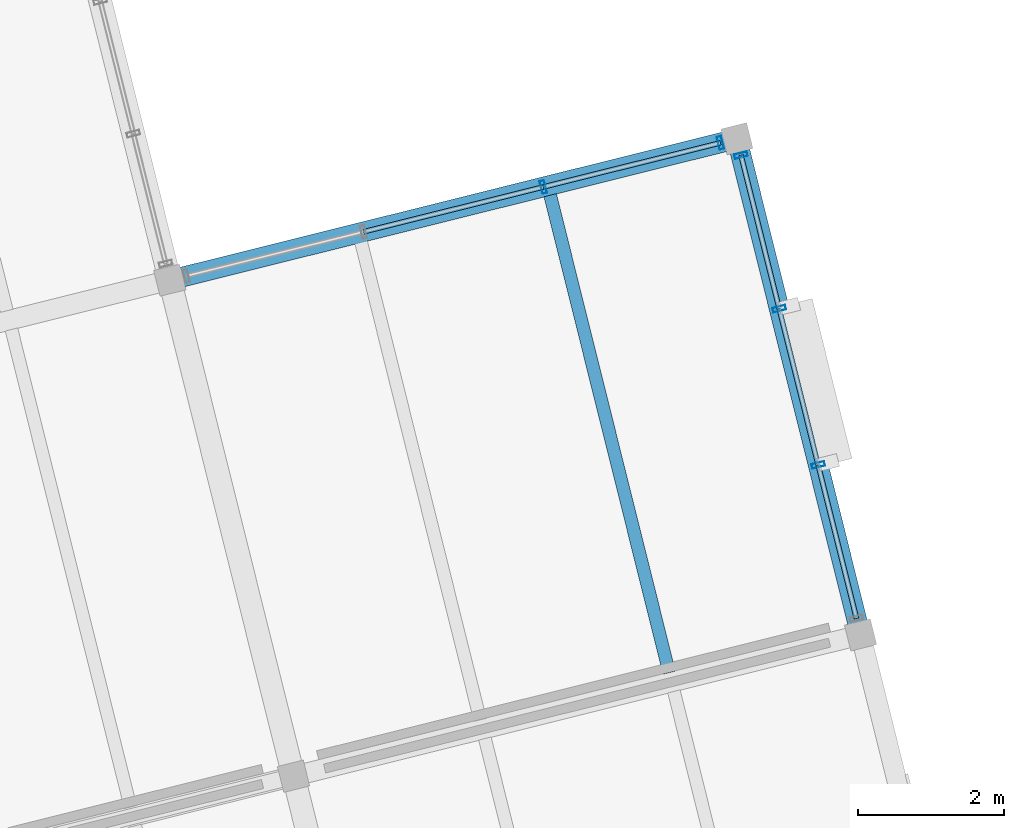
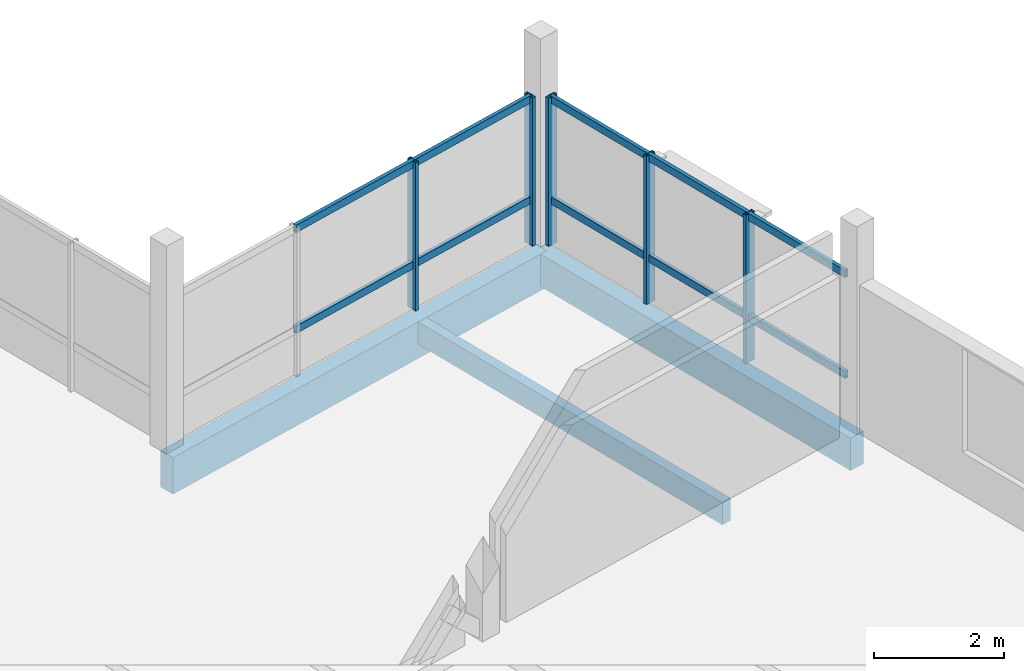
# One storey, part 21 of 28: 15 members, 3 beams, 2 elements without a shape of their own.
"""IFC4 building model written with IfcOpenShell, lengths in metres."""

from ifc_helpers import new_model, si_unit, direction, frame, origin, origin_2d, place, context, subcontext, project, spatial, rectangle, hollow_rectangle, extrude, material, layer, layer_set, material_profile, profile_set, type_object, element, aggregate, save


model = new_model("IFC4")

# Units and contexts
model_context = context("Model", 3, precision=1e-05, world=origin(), true_north=direction((0.0, 1.0)))
body_context = subcontext(model_context, "Body", "Model", "MODEL_VIEW")
ifc_project = project(units=[si_unit("LENGTHUNIT", "METRE"), si_unit("AREAUNIT", "SQUARE_METRE"), si_unit("VOLUMEUNIT", "CUBIC_METRE"), si_unit("PLANEANGLEUNIT", "RADIAN"), si_unit("MASSUNIT", "GRAM", prefix="KILO")], contexts=[model_context])

# Site, building, storey
site_placement = place(None, origin())
site = spatial("IfcSite", under=ifc_project, at=site_placement, CompositionType="ELEMENT")
building_placement = place(site_placement, origin())
building = spatial("IfcBuilding", under=site, at=building_placement, Name="Meriwether Solvik Hall", CompositionType="ELEMENT")
storey_placement = place(building_placement, frame((0.0, 0.0, 37.800048828125)))
storey = spatial("IfcBuildingStorey", under=building, at=storey_placement, Name="L09", CompositionType="ELEMENT", Elevation=37.800048828125)

# Beams
ifc_material_1 = material(Name="Glulam Douglas-Fir 24F-V8 GL28h", Category="wood")
ifc_material_profile_1 = material_profile(ifc_material_1, rectangle(XDim=0.27294921875, YDim=0.610107421875, at=origin_2d()), Name="GLB-273X610")
ifc_profile_set_1 = profile_set([ifc_material_profile_1], Name="Glulam Douglas-Fir 24F-V8 GL28h")
beam_type_1 = type_object("IfcBeamType", Name="BM-GL-273X610", PredefinedType="SPANDREL", material=ifc_profile_set_1)
beam_1_placement = place(storey_placement, frame((106.212646484375, 72.220703125, -0.485107421875), z_axis=(-0.241903692719, 0.970300264582, 0.0), x_axis=(-0.970300264582, -0.241903692719, 0.0)))
element("IfcBeam", 1, at=beam_1_placement, inside=storey, type_object=beam_type_1, Name="Tower Girder T7:TD-TE (L09)", PredefinedType="SPANDREL", context=body_context, shape_type="SweptSolid", body=[
    extrude(rectangle(XDim=0.27294921875, YDim=0.610107421875, at=origin_2d()), origin(), (0.0, 0.0, 1.0), 7.000244140625),
])
ifc_material_2 = material(Name="Glulam Douglas-Fir 24F-V8 GL28h", Category="wood")
ifc_material_profile_2 = material_profile(ifc_material_2, rectangle(XDim=0.27294921875, YDim=0.68505859375, at=origin_2d()), Name="GLB-273X685")
ifc_profile_set_2 = profile_set([ifc_material_profile_2], Name="Glulam Douglas-Fir 24F-V8 GL28h")
beam_type_2 = type_object("IfcBeamType", Name="BM-GL-273X685", PredefinedType="BEAM", material=ifc_profile_set_2)
beam_2_placement = place(storey_placement, frame((96.7568359375, 77.077392578125, -0.5224609375), z_axis=(0.970291312354, 0.241939598187, 0.0), x_axis=(-0.241939598187, 0.970291312354, 0.0)))
element("IfcBeam", 2, at=beam_2_placement, inside=storey, type_object=beam_type_2, Name="Tower Girder TE:T6-T7 (L09)", PredefinedType="BEAM", context=body_context, shape_type="SweptSolid", body=[
    extrude(rectangle(XDim=0.27294921875, YDim=0.68505859375, at=origin_2d()), origin(), (0.0, 0.0, 1.0), 8.000244140625),
])

# Curtain wall, members
ifc_material_3 = material(Name="Thermally Broken Anodised Aluminium 6063-T6 and Low-E Glass", Category="aluminium")
ifc_layer = layer(ifc_material_3, 0.179931640625)
ifc_layer_set = layer_set([ifc_layer], Name="Thermally Broken Anodised Aluminium 6063-T6 and Low-E Glass")
curtain_wall_type = type_object("IfcCurtainWallType", Name="CW-UNIT-D", PredefinedType="USERDEFINED", material=ifc_layer_set)
curtain_wall_1_placement = place(storey_placement, origin())
curtain_wall_1 = element("IfcCurtainWall", 3, at=curtain_wall_1_placement, inside=storey, type_object=curtain_wall_type, Name="Curtain Wall E3_B1 (L09)", ObjectType="UNITISED CURTAIN WALL", PredefinedType="USERDEFINED")
ifc_material_4 = material(Name="Anodised Aluminium 6063-T6", Category="aluminium")
ifc_material_profile_3 = material_profile(ifc_material_4, hollow_rectangle(XDim=0.06494140625, YDim=0.179931640625, WallThickness=0.00439453125, at=origin_2d()), Name="CWM-65X180")
ifc_profile_set_3 = profile_set([ifc_material_profile_3], Name="Anodised Aluminium 6063-T6")
member_type_1 = type_object("IfcMemberType", Name="CW-MUL-65X180", PredefinedType="MULLION", material=ifc_profile_set_3)
member_1_placement = place(storey_placement, frame((104.575439453125, 78.787353515625, 0.0), z_axis=(0.0, 0.0, 1.0), x_axis=(0.241921804422, -0.970295749009, 0.0)))
member_1 = element("IfcMember", 4, at=member_1_placement, type_object=member_type_1, Name="Curtain Wall Mullion 1", PredefinedType="MULLION", context=body_context, shape_type="SweptSolid", body=[
    extrude(hollow_rectangle(XDim=0.06494140625, YDim=0.179931640625, WallThickness=0.00439453125, at=origin_2d()), origin(), (0.0, 0.0, 1.0), 2.7900390625),
])
member_2_placement = place(storey_placement, frame((105.099365234375, 76.685791015625, 0.0), z_axis=(0.0, 0.0, 1.0), x_axis=(0.241921804422, -0.970295749009, 0.0)))
member_2 = element("IfcMember", 5, at=member_2_placement, type_object=member_type_1, Name="Curtain Wall Mullion 2", PredefinedType="MULLION", context=body_context, shape_type="SweptSolid", body=[
    extrude(hollow_rectangle(XDim=0.06494140625, YDim=0.179931640625, WallThickness=0.00439453125, at=origin_2d()), origin(), (0.0, 0.0, 1.0), 2.7900390625),
])
member_3_placement = place(storey_placement, frame((105.632568359375, 74.547607421875, 0.0), z_axis=(0.0, 0.0, 1.0), x_axis=(0.241921804422, -0.970295749009, 0.0)))
member_3 = element("IfcMember", 6, at=member_3_placement, type_object=member_type_1, Name="Curtain Wall Mullion 3", PredefinedType="MULLION", context=body_context, shape_type="SweptSolid", body=[
    extrude(hollow_rectangle(XDim=0.06494140625, YDim=0.179931640625, WallThickness=0.00439453125, at=origin_2d()), origin(), (0.0, 0.0, 1.0), 2.7900390625),
])

curtain_wall_2_placement = place(storey_placement, origin())
curtain_wall_2 = element("IfcCurtainWall", 7, at=curtain_wall_2_placement, inside=storey, type_object=curtain_wall_type, Name="Curtain Wall E4_B0 (L09)", ObjectType="UNITISED CURTAIN WALL", PredefinedType="USERDEFINED")
member_4_placement = place(storey_placement, frame((101.868896484375, 78.35205078125, 0.0), z_axis=(0.0, 0.0, 1.0), x_axis=(0.970295706376, 0.241921975414, 0.0)))
member_4 = element("IfcMember", 8, at=member_4_placement, type_object=member_type_1, Name="Curtain Wall Mullion 3", PredefinedType="MULLION", context=body_context, shape_type="SweptSolid", body=[
    extrude(hollow_rectangle(XDim=0.06494140625, YDim=0.179931640625, WallThickness=0.00439453125, at=origin_2d()), origin(), (0.0, 0.0, 1.0), 2.7900390625),
])
member_5_placement = place(storey_placement, frame((104.293701171875, 78.95654296875, 0.0), z_axis=(0.0, 0.0, 1.0), x_axis=(0.970295706376, 0.241921975414, 0.0)))
member_5 = element("IfcMember", 9, at=member_5_placement, type_object=member_type_1, Name="Curtain Wall Mullion 4", PredefinedType="MULLION", context=body_context, shape_type="SweptSolid", body=[
    extrude(hollow_rectangle(XDim=0.06494140625, YDim=0.179931640625, WallThickness=0.00439453125, at=origin_2d()), origin(), (0.0, 0.0, 1.0), 2.7900390625),
])

# Member
ifc_material_5 = material(Name="Anodised Aluminium 6063-T6", Category="aluminium")
ifc_material_profile_4 = material_profile(ifc_material_5, hollow_rectangle(XDim=0.06494140625, YDim=0.139892578125, WallThickness=0.00439453125, at=origin_2d()), Name="CWT-65X140")
ifc_profile_set_4 = profile_set([ifc_material_profile_4], Name="Anodised Aluminium 6063-T6")
member_type_2 = type_object("IfcMemberType", Name="CW-TRN-65X140", PredefinedType="USERDEFINED", material=ifc_profile_set_4)
member_6_placement = place(storey_placement, frame((104.575439453125, 78.787353515625, 0.8369140625), z_axis=(0.241899031329, -0.970301426693, 0.0), x_axis=(0.970301426693, 0.241899031329, 0.0)))
member_6 = element("IfcMember", 10, at=member_6_placement, type_object=member_type_2, Name="Curtain Wall Transom 1-sill", ObjectType="TRANSOM", PredefinedType="USERDEFINED", context=body_context, shape_type="SweptSolid", body=[
    extrude(hollow_rectangle(XDim=0.06494140625, YDim=0.139892578125, WallThickness=0.00439453125, at=origin_2d()), origin(), (0.0, 0.0, 1.0), 2.165771484375),
])

member_7_placement = place(storey_placement, frame((104.575439453125, 78.787353515625, 2.72998046875), z_axis=(0.241899031329, -0.970301426693, 0.0), x_axis=(0.970301426693, 0.241899031329, 0.0)))
member_7 = element("IfcMember", 11, at=member_7_placement, type_object=member_type_2, Name="Curtain Wall Transom 1-head", ObjectType="TRANSOM", PredefinedType="USERDEFINED", context=body_context, shape_type="SweptSolid", body=[
    extrude(hollow_rectangle(XDim=0.06494140625, YDim=0.139892578125, WallThickness=0.00439453125, at=origin_2d()), origin(), (0.0, 0.0, 1.0), 2.165771484375),
])

member_8_placement = place(storey_placement, frame((105.099365234375, 76.685791015625, 0.8369140625), z_axis=(0.241962089235, -0.970285703993, 0.0), x_axis=(0.970285703993, 0.241962089235, 0.0)))
member_8 = element("IfcMember", 12, at=member_8_placement, type_object=member_type_2, Name="Curtain Wall Transom 2-sill", ObjectType="TRANSOM", PredefinedType="USERDEFINED", context=body_context, shape_type="SweptSolid", body=[
    extrude(hollow_rectangle(XDim=0.06494140625, YDim=0.139892578125, WallThickness=0.00439453125, at=origin_2d()), origin(), (0.0, 0.0, 1.0), 2.20361328125),
])

member_9_placement = place(storey_placement, frame((105.099365234375, 76.685791015625, 2.72998046875), z_axis=(0.241962089235, -0.970285703993, 0.0), x_axis=(0.970285703993, 0.241962089235, 0.0)))
member_9 = element("IfcMember", 13, at=member_9_placement, type_object=member_type_2, Name="Curtain Wall Transom 2-head", ObjectType="TRANSOM", PredefinedType="USERDEFINED", context=body_context, shape_type="SweptSolid", body=[
    extrude(hollow_rectangle(XDim=0.06494140625, YDim=0.139892578125, WallThickness=0.00439453125, at=origin_2d()), origin(), (0.0, 0.0, 1.0), 2.20361328125),
])

member_10_placement = place(storey_placement, frame((105.632568359375, 74.547607421875, 0.8369140625), z_axis=(0.241925491414, -0.970294829732, 0.0), x_axis=(0.970294829732, 0.241925491414, 0.0)))
member_10 = element("IfcMember", 14, at=member_10_placement, type_object=member_type_2, Name="Curtain Wall Transom 3-sill", ObjectType="TRANSOM", PredefinedType="USERDEFINED", context=body_context, shape_type="SweptSolid", body=[
    extrude(hollow_rectangle(XDim=0.06494140625, YDim=0.139892578125, WallThickness=0.00439453125, at=origin_2d()), origin(), (0.0, 0.0, 1.0), 2.16552734375),
])

member_11_placement = place(storey_placement, frame((105.632568359375, 74.547607421875, 2.72998046875), z_axis=(0.241925491414, -0.970294829732, 0.0), x_axis=(0.970294829732, 0.241925491414, 0.0)))
member_11 = element("IfcMember", 15, at=member_11_placement, type_object=member_type_2, Name="Curtain Wall Transom 3-head", ObjectType="TRANSOM", PredefinedType="USERDEFINED", context=body_context, shape_type="SweptSolid", body=[
    extrude(hollow_rectangle(XDim=0.06494140625, YDim=0.139892578125, WallThickness=0.00439453125, at=origin_2d()), origin(), (0.0, 0.0, 1.0), 2.16552734375),
])

aggregate(curtain_wall_1, [member_1, member_2, member_3, member_6, member_7, member_8, member_9, member_10, member_11])

member_12_placement = place(storey_placement, frame((99.4072265625, 77.73828125, 0.8369140625), z_axis=(0.970295144672, 0.241924228276, 0.0), x_axis=(-0.241924228276, 0.970295144672, 0.0)))
member_12 = element("IfcMember", 16, at=member_12_placement, type_object=member_type_2, Name="Curtain Wall Transom 2-sill", ObjectType="TRANSOM", PredefinedType="USERDEFINED", context=body_context, shape_type="SweptSolid", body=[
    extrude(hollow_rectangle(XDim=0.06494140625, YDim=0.139892578125, WallThickness=0.00439453125, at=origin_2d()), origin(), (0.0, 0.0, 1.0), 2.537109375),
])

member_13_placement = place(storey_placement, frame((99.4072265625, 77.73828125, 2.72998046875), z_axis=(0.970295144672, 0.241924228276, 0.0), x_axis=(-0.241924228276, 0.970295144672, 0.0)))
member_13 = element("IfcMember", 17, at=member_13_placement, type_object=member_type_2, Name="Curtain Wall Transom 2-head", ObjectType="TRANSOM", PredefinedType="USERDEFINED", context=body_context, shape_type="SweptSolid", body=[
    extrude(hollow_rectangle(XDim=0.06494140625, YDim=0.139892578125, WallThickness=0.00439453125, at=origin_2d()), origin(), (0.0, 0.0, 1.0), 2.537109375),
])

member_14_placement = place(storey_placement, frame((101.868896484375, 78.35205078125, 0.8369140625), z_axis=(0.970303195461, 0.241891936363, 0.0), x_axis=(-0.241891936363, 0.970303195461, 0.0)))
member_14 = element("IfcMember", 18, at=member_14_placement, type_object=member_type_2, Name="Curtain Wall Transom 3-sill", ObjectType="TRANSOM", PredefinedType="USERDEFINED", context=body_context, shape_type="SweptSolid", body=[
    extrude(hollow_rectangle(XDim=0.06494140625, YDim=0.139892578125, WallThickness=0.00439453125, at=origin_2d()), origin(), (0.0, 0.0, 1.0), 2.4990234375),
])

member_15_placement = place(storey_placement, frame((101.868896484375, 78.35205078125, 2.72998046875), z_axis=(0.970303195461, 0.241891936363, 0.0), x_axis=(-0.241891936363, 0.970303195461, 0.0)))
member_15 = element("IfcMember", 19, at=member_15_placement, type_object=member_type_2, Name="Curtain Wall Transom 3-head", ObjectType="TRANSOM", PredefinedType="USERDEFINED", context=body_context, shape_type="SweptSolid", body=[
    extrude(hollow_rectangle(XDim=0.06494140625, YDim=0.139892578125, WallThickness=0.00439453125, at=origin_2d()), origin(), (0.0, 0.0, 1.0), 2.4990234375),
])

aggregate(curtain_wall_2, [member_4, member_5, member_12, member_13, member_14, member_15])

# Beam
ifc_material_6 = material(Name="Glulam Douglas-Fir 24F-V8 GL28h", Category="wood")
ifc_material_profile_5 = material_profile(ifc_material_6, rectangle(XDim=0.175048828125, YDim=0.419921875, at=origin_2d()), Name="GLJ-175X420")
ifc_profile_set_5 = profile_set([ifc_material_profile_5], Name="Glulam Douglas-Fir 24F-V8 GL28h")
beam_type_3 = type_object("IfcBeamType", Name="JST-GL-175X420", PredefinedType="JOIST", material=ifc_profile_set_5)
beam_3_placement = place(storey_placement, frame((103.59326171875, 71.703125, -0.39013671875), z_axis=(-0.241887553163, 0.970304288162, 0.0), x_axis=(-0.970304288162, -0.241887553163, 0.0)))
element("IfcBeam", 20, at=beam_3_placement, inside=storey, type_object=beam_type_3, Name="Glulam Floor Joist T6/TD-J2 (L09)", PredefinedType="JOIST", context=body_context, shape_type="SweptSolid", body=[
    extrude(rectangle(XDim=0.175048828125, YDim=0.419921875, at=origin_2d()), origin(), (0.0, 0.0, 1.0), 6.737060546875),
])

save(model, "model.ifc")
